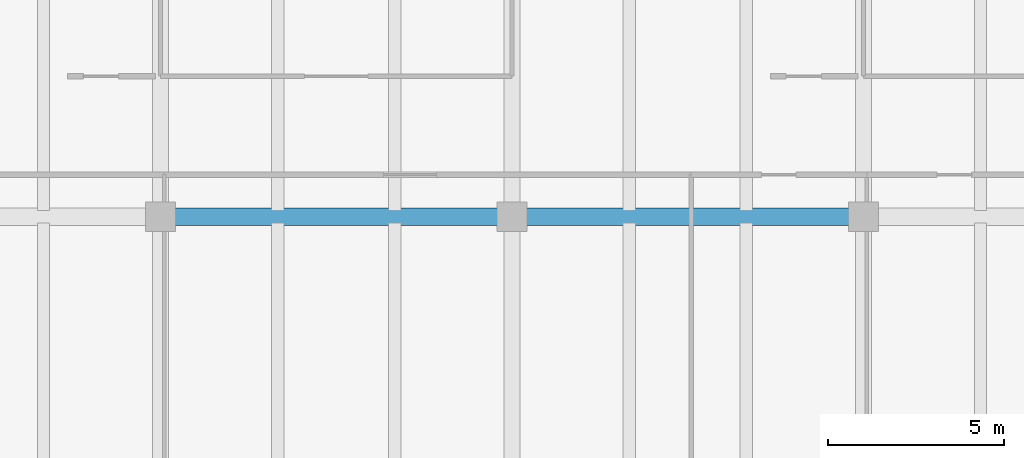
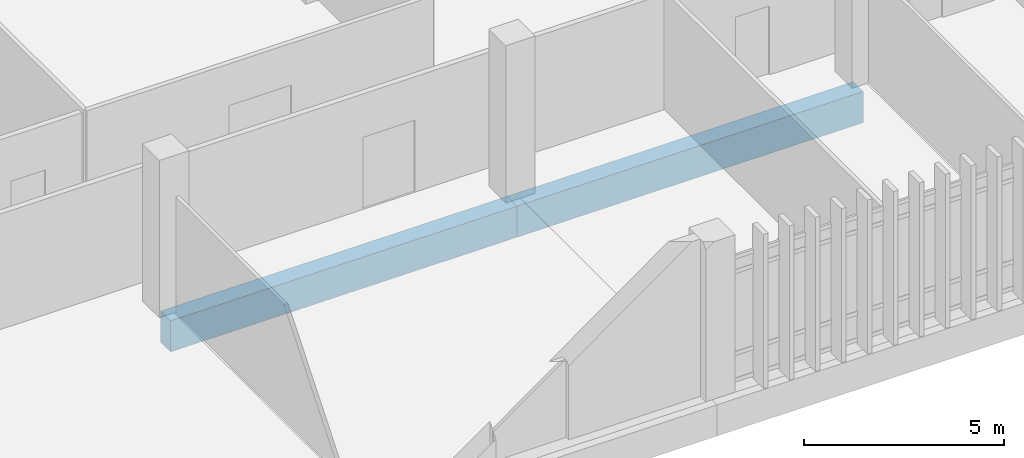
# One storey, part 45 of 87: 2 beams.
"""IFC4 building model written with IfcOpenShell, lengths in metres."""

from ifc_helpers import new_model, si_unit, direction, frame, origin, origin_2d, place, context, subcontext, project, spatial, rectangle, extrude, material, material_profile, profile_set, type_object, element, save


model = new_model("IFC4")

# Units and contexts
model_context = context("Model", 3, precision=1e-05, world=origin(), true_north=direction((0.0, 1.0)))
body_context = subcontext(model_context, "Body", "Model", "MODEL_VIEW")
ifc_project = project(units=[si_unit("LENGTHUNIT", "METRE"), si_unit("AREAUNIT", "SQUARE_METRE"), si_unit("VOLUMEUNIT", "CUBIC_METRE"), si_unit("PLANEANGLEUNIT", "RADIAN"), si_unit("MASSUNIT", "GRAM", prefix="KILO")], contexts=[model_context])

# Site, building, storey
site_placement = place(None, origin())
site = spatial("IfcSite", under=ifc_project, at=site_placement, CompositionType="ELEMENT")
building_placement = place(site_placement, origin())
building = spatial("IfcBuilding", under=site, at=building_placement, Name="Mersad Railyard Sports Hall", CompositionType="ELEMENT")
storey_placement = place(building_placement, origin())
storey = spatial("IfcBuildingStorey", under=building, at=storey_placement, Name="L00", CompositionType="ELEMENT", Elevation=0.0)

# Beams
ifc_material = material(Name="Concrete C50/60", Category="concrete")
ifc_material_profile = material_profile(ifc_material, rectangle(XDim=0.5, YDim=0.949951171875, at=origin_2d()), Name="RC 500x950")
ifc_profile_set = profile_set([ifc_material_profile], Name="Concrete C50/60")
beam_type = type_object("IfcBeamType", Name="STR-BM-B03", PredefinedType="BEAM", material=ifc_profile_set)
for number, where, z_axis, x_axis, name in (
    (1, (101.0, 95.0, -0.824951171875), (1.0, 0.0, 0.0), (0.0, 1.0, 0.0), "Beam B03-0155"),
    (2, (111.0, 95.0, -0.824951171875), (1.0, 0.0, 0.0), (0.0, 1.0, 0.0), "Beam B03-0156"),
):
    element("IfcBeam", number, at=place(storey_placement, frame(where, z_axis=z_axis, x_axis=x_axis)), inside=storey, type_object=beam_type, Name=name, PredefinedType="BEAM", context=body_context, shape_type="SweptSolid", body=[
        extrude(rectangle(XDim=0.5, YDim=0.949951171875, at=origin_2d()), origin(), (0.0, 0.0, 1.0), 10.0),
    ])

save(model, "model.ifc")
